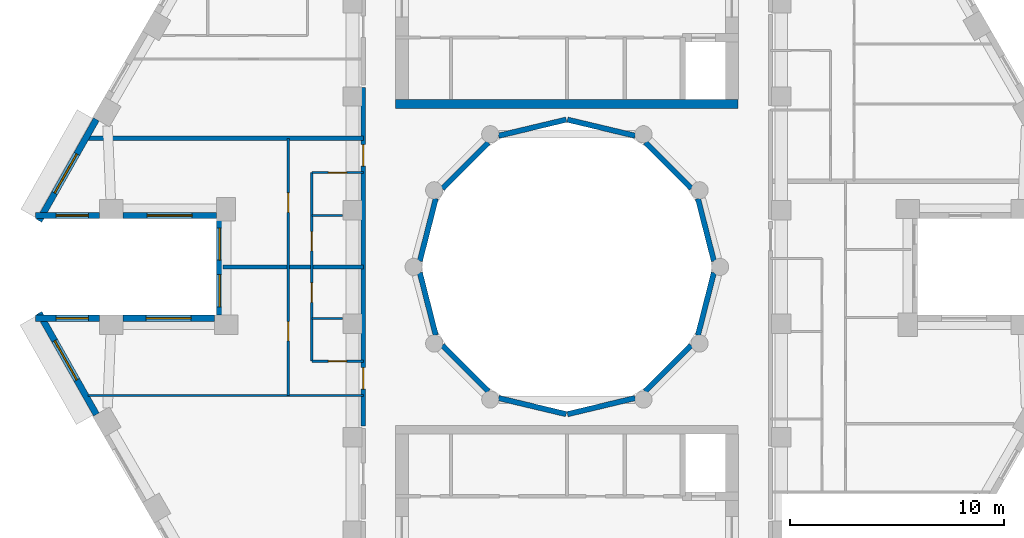
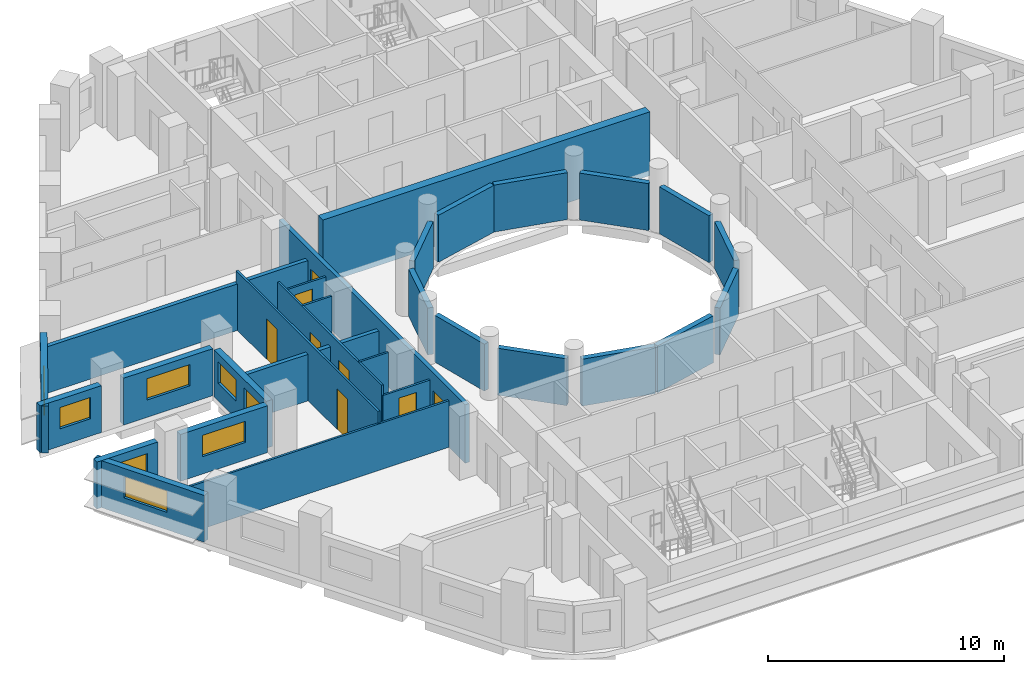
# One storey, part 4 of 12: 30 walls, 8 doors, 8 windows, 16 openings.
"""IFC4 building model written with IfcOpenShell, lengths in metres."""

from ifc_helpers import new_model, si_unit, direction, frame, frame_2d, origin, place, context, subcontext, project, spatial, rectangle, extrude, material, layer, layer_set, type_object, element, fill, save


model = new_model("IFC4")

# Units and contexts
model_context = context("Model", 3, precision=1e-05, world=origin(), true_north=direction((0.0, 1.0)))
body_context = subcontext(model_context, "Body", "Model", "MODEL_VIEW")
ifc_project = project(units=[si_unit("LENGTHUNIT", "METRE"), si_unit("AREAUNIT", "SQUARE_METRE"), si_unit("VOLUMEUNIT", "CUBIC_METRE"), si_unit("PLANEANGLEUNIT", "RADIAN"), si_unit("MASSUNIT", "GRAM", prefix="KILO")], contexts=[model_context])

# Site, building, storey
site_placement = place(None, origin())
site = spatial("IfcSite", under=ifc_project, at=site_placement, CompositionType="ELEMENT")
building_placement = place(site_placement, origin())
building = spatial("IfcBuilding", under=site, at=building_placement, Name="Nakaniwa Court", CompositionType="ELEMENT")
storey_placement = place(building_placement, frame((0.0, 0.0, 252.60009765625)))
storey = spatial("IfcBuildingStorey", under=building, at=storey_placement, Name="L66", CompositionType="ELEMENT", Elevation=252.60009765625)

# Wall, openings, doors
ifc_material_1 = material(Name="Acoustic double stud partition")
ifc_layer_1 = layer(ifc_material_1, 0.199951171875)
ifc_layer_set_1 = layer_set([ifc_layer_1], Name="Acoustic double stud partition")
wall_type_1 = type_object("IfcWallType", Name="Acoustic double stud partition 200", PredefinedType="PARTITIONING", material=ifc_layer_set_1)
wall_1_placement = place(storey_placement, frame((70.5, 72.576904296875, 0.0), z_axis=(0.0, 0.0, 1.0), x_axis=(0.0, 1.0, 0.0)))
wall_1 = element("IfcWall", 1, at=wall_1_placement, inside=storey, type_object=wall_type_1, Name="Partition PW-091", PredefinedType="PARTITIONING", context=body_context, shape_type="SweptSolid", body=[
    extrude(rectangle(XDim=15.7861328125, YDim=0.199951171875, at=frame_2d((7.89306640625, 0.0))), origin(), (0.0, 0.0, 1.0), 3.02490234375),
])
opening_1_placement = place(wall_1_placement, frame((1.722900390625, 0.0, 0.0)))
opening_1 = element("IfcOpeningElement", 2, at=opening_1_placement, cuts=wall_1, Name="Opening D-01-03", PredefinedType="OPENING", context=body_context, shape_type="SweptSolid", body=[
    extrude(rectangle(XDim=1.0, YDim=2.10009765625, at=frame_2d((0.5, 1.050048828125))), frame((0.0, 0.10986328125, 0.0), z_axis=(0.0, -1.0, 0.0), x_axis=(1.0, 0.0, 0.0)), (0.0, 0.0, 1.0), 0.219970703125),
])
opening_2_placement = place(wall_1_placement, frame((12.123046875, 0.0, 0.0)))
opening_2 = element("IfcOpeningElement", 3, at=opening_2_placement, cuts=wall_1, Name="Opening D-01-04", PredefinedType="OPENING", context=body_context, shape_type="SweptSolid", body=[
    extrude(rectangle(XDim=1.0, YDim=2.10009765625, at=frame_2d((0.5, 1.050048828125))), frame((0.0, 0.10986328125, 0.0), z_axis=(0.0, -1.0, 0.0), x_axis=(1.0, 0.0, 0.0)), (0.0, 0.0, 1.0), 0.219970703125),
])
ifc_material_2 = material(Name="Solid core timber door set, black veneer", Category="wood")
door_type_1 = type_object("IfcDoorType", Name="Flat entrance door 1000", OperationType="NOTDEFINED", PredefinedType="DOOR", material=ifc_material_2)
door_1_placement = place(opening_1_placement, origin())
door_1 = element("IfcDoor", 4, at=door_1_placement, inside=storey, type_object=door_type_1, Name="Door D-01-03 L66-047", OperationType="SINGLE_SWING_RIGHT", OverallHeight=2.10009765625, OverallWidth=1.0, PredefinedType="DOOR", context=body_context, shape_type="SweptSolid", body=[
    extrude(rectangle(XDim=1.0, YDim=2.10009765625, at=frame_2d((0.5, 1.050048828125))), frame((0.0, 0.02490234375, 0.0), z_axis=(0.0, -1.0, 0.0), x_axis=(1.0, 0.0, 0.0)), (0.0, 0.0, 1.0), 0.050048828125),
])
fill(opening_1, door_1)
door_2_placement = place(opening_2_placement, origin())
door_2 = element("IfcDoor", 5, at=door_2_placement, inside=storey, type_object=door_type_1, Name="Door D-01-04 L66-051", OperationType="SINGLE_SWING_RIGHT", OverallHeight=2.10009765625, OverallWidth=1.0, PredefinedType="DOOR", context=body_context, shape_type="SweptSolid", body=[
    extrude(rectangle(XDim=1.0, YDim=2.10009765625, at=frame_2d((0.5, 1.050048828125))), frame((0.0, 0.02490234375, 0.0), z_axis=(0.0, -1.0, 0.0), x_axis=(1.0, 0.0, 0.0)), (0.0, 0.0, 1.0), 0.050048828125),
])
fill(opening_2, door_2)

# Walls
wall_2_placement = place(storey_placement, frame((63.950439453125, 80.0, 0.0), z_axis=(0.0, 0.0, 1.0), x_axis=(1.0, 0.0, 0.0)))
element("IfcWall", 6, at=wall_2_placement, inside=storey, type_object=wall_type_1, Name="Partition PW-116", PredefinedType="PARTITIONING", context=body_context, shape_type="SweptSolid", body=[
    extrude(rectangle(XDim=6.549560546875, YDim=0.199951171875, at=frame_2d((3.27490234375, 0.0))), origin(), (0.0, 0.0, 1.0), 2.40478515625),
])
wall_3_placement = place(storey_placement, frame((57.656494140625, 86.0, 0.0), z_axis=(0.0, 0.0, 1.0), x_axis=(1.0, 0.0, 0.0)))
element("IfcWall", 7, at=wall_3_placement, inside=storey, type_object=wall_type_1, Name="Partition PW-120", PredefinedType="PARTITIONING", context=body_context, shape_type="SweptSolid", body=[
    extrude(rectangle(XDim=12.843505859375, YDim=0.199951171875, at=frame_2d((6.421875, 0.0))), origin(), (0.0, 0.0, 1.0), 2.40478515625),
])

# Wall, opening, window
ifc_material_3 = material(Name="Charcoal ceramic cladding")
ifc_layer_2 = layer(ifc_material_3, 0.02, Name="Ceramic cladding")
ifc_material_4 = material(Name="Ventilated air cavity")
ifc_layer_3 = layer(ifc_material_4, 0.04, ventilated=True, Name="Ventilated cavity")
ifc_material_5 = material(Name="Mineral wool insulation")
ifc_layer_4 = layer(ifc_material_5, 0.1, Name="Insulation")
ifc_material_6 = material(Name="Cement bonded sheathing board")
ifc_layer_5 = layer(ifc_material_6, 0.012, Name="Sheathing")
ifc_material_7 = material(Name="Cold-formed galvanised stud frame with mineral wool infill")
ifc_layer_6 = layer(ifc_material_7, 0.1, Name="Stud frame")
ifc_material_8 = material(Name="Fire-rated gypsum plasterboard lining")
ifc_layer_7 = layer(ifc_material_8, 0.028, Name="Lining")
ifc_layer_set_2 = layer_set([ifc_layer_2, ifc_layer_3, ifc_layer_4, ifc_layer_5, ifc_layer_6, ifc_layer_7], Name="Charcoal ceramic faced external wall system")
wall_type_2 = type_object("IfcWallType", Name="Black ceramic faced external wall 300", PredefinedType="SOLIDWALL", material=ifc_layer_set_2)
wall_4_placement = place(storey_placement, frame((58.048095703125, 86.886474609375, 0.0), z_axis=(0.0, 0.0, 1.0), x_axis=(-0.492080931903, -0.870549456641, 0.0)))
wall_4 = element("IfcWall", 8, at=wall_4_placement, inside=storey, type_object=wall_type_2, Name="L66 external wall 14", PredefinedType="SOLIDWALL", context=body_context, shape_type="SweptSolid", body=[
    extrude(rectangle(XDim=5.436767578125, YDim=0.300048828125, at=frame_2d((2.71826171875, 0.0))), origin(), (0.0, 0.0, 1.0), 2.4248046875),
])
opening_3_placement = place(wall_4_placement, frame((1.853759765625, 0.0, 0.89990234375)))
opening_3 = element("IfcOpeningElement", 9, at=opening_3_placement, cuts=wall_4, Name="Opening W7.15", PredefinedType="OPENING", context=body_context, shape_type="SweptSolid", body=[
    extrude(rectangle(XDim=2.10009765625, YDim=1.10009765625, at=frame_2d((1.050048828125, 0.550048828125))), frame((0.0, 0.159912109375, 0.0), z_axis=(0.0, -1.0, 0.0), x_axis=(1.0, 0.0, 0.0)), (0.0, 0.0, 1.0), 0.320068359375),
])
ifc_material_9 = material(Name="Black anodised aluminium frame with dark low-E laminated double glazing", Category="aluminium")
window_type_1 = type_object("IfcWindowType", Name="Dark glass window 2100x1100 sill 900", PartitioningType="SINGLE_PANEL", PredefinedType="WINDOW", material=ifc_material_9)
window_1_placement = place(opening_3_placement, origin())
window_1 = element("IfcWindow", 10, at=window_1_placement, inside=storey, type_object=window_type_1, Name="L66 living window 14-1", OverallHeight=1.10009765625, OverallWidth=2.10009765625, PartitioningType="SINGLE_PANEL", PredefinedType="WINDOW", context=body_context, shape_type="SweptSolid", body=[
    extrude(rectangle(XDim=2.10009765625, YDim=1.10009765625, at=frame_2d((1.050048828125, 0.550048828125))), frame((0.0, 0.030029296875, 0.0), z_axis=(0.0, -1.0, 0.0), x_axis=(1.0, 0.0, 0.0)), (0.0, 0.0, 1.0), 0.06005859375),
])
fill(opening_3, window_1)

wall_5_placement = place(storey_placement, frame((55.2021484375, 82.39990234375, 0.0), z_axis=(0.0, 0.0, 1.0), x_axis=(1.0, 0.0, 0.0)))
wall_5 = element("IfcWall", 11, at=wall_5_placement, inside=storey, type_object=wall_type_2, Name="L66 external wall 15", PredefinedType="SOLIDWALL", context=body_context, shape_type="SweptSolid", body=[
    extrude(rectangle(XDim=2.98779296875, YDim=0.300048828125, at=frame_2d((1.493896484375, 0.0))), origin(), (0.0, 0.0, 1.0), 2.4248046875),
])
opening_4_placement = place(wall_5_placement, frame((0.968994140625, 0.0, 0.89990234375)))
opening_4 = element("IfcOpeningElement", 12, at=opening_4_placement, cuts=wall_5, Name="Opening W5.16", PredefinedType="OPENING", context=body_context, shape_type="SweptSolid", body=[
    extrude(rectangle(XDim=1.5, YDim=1.10009765625, at=frame_2d((0.75, 0.550048828125))), frame((0.0, 0.159912109375, 0.0), z_axis=(0.0, -1.0, 0.0), x_axis=(1.0, 0.0, 0.0)), (0.0, 0.0, 1.0), 0.320068359375),
])
window_type_2 = type_object("IfcWindowType", Name="Dark glass window 1500x1100 sill 900", PartitioningType="SINGLE_PANEL", PredefinedType="WINDOW", material=ifc_material_9)
window_2_placement = place(opening_4_placement, origin())
window_2 = element("IfcWindow", 13, at=window_2_placement, inside=storey, type_object=window_type_2, Name="L66 living window 15-0", OverallHeight=1.10009765625, OverallWidth=1.5, PartitioningType="SINGLE_PANEL", PredefinedType="WINDOW", context=body_context, shape_type="SweptSolid", body=[
    extrude(rectangle(XDim=1.5, YDim=1.10009765625, at=frame_2d((0.75, 0.550048828125))), frame((0.0, 0.030029296875, 0.0), z_axis=(0.0, -1.0, 0.0), x_axis=(1.0, 0.0, 0.0)), (0.0, 0.0, 1.0), 0.06005859375),
])
fill(opening_4, window_2)

wall_6_placement = place(storey_placement, frame((59.281982421875, 82.39990234375, 0.0), z_axis=(0.0, 0.0, 1.0), x_axis=(1.0, 0.0, 0.0)))
wall_6 = element("IfcWall", 14, at=wall_6_placement, inside=storey, type_object=wall_type_2, Name="L66 external wall 16", PredefinedType="SOLIDWALL", context=body_context, shape_type="SweptSolid", body=[
    extrude(rectangle(XDim=4.37255859375, YDim=0.300048828125, at=frame_2d((2.186279296875, 0.0))), origin(), (0.0, 0.0, 1.0), 2.4248046875),
])
opening_5_placement = place(wall_6_placement, frame((1.13623046875, 0.0, 0.89990234375)))
opening_5 = element("IfcOpeningElement", 15, at=opening_5_placement, cuts=wall_6, Name="Opening W7.17", PredefinedType="OPENING", context=body_context, shape_type="SweptSolid", body=[
    extrude(rectangle(XDim=2.10009765625, YDim=1.10009765625, at=frame_2d((1.050048828125, 0.550048828125))), frame((0.0, 0.159912109375, 0.0), z_axis=(0.0, -1.0, 0.0), x_axis=(1.0, 0.0, 0.0)), (0.0, 0.0, 1.0), 0.320068359375),
])
window_3_placement = place(opening_5_placement, origin())
window_3 = element("IfcWindow", 16, at=window_3_placement, inside=storey, type_object=window_type_1, Name="L66 living window 16-0", OverallHeight=1.10009765625, OverallWidth=2.10009765625, PartitioningType="SINGLE_PANEL", PredefinedType="WINDOW", context=body_context, shape_type="SweptSolid", body=[
    extrude(rectangle(XDim=2.10009765625, YDim=1.10009765625, at=frame_2d((1.050048828125, 0.550048828125))), frame((0.0, 0.030029296875, 0.0), z_axis=(0.0, -1.0, 0.0), x_axis=(1.0, 0.0, 0.0)), (0.0, 0.0, 1.0), 0.06005859375),
])
fill(opening_5, window_3)

# Wall, openings, windows
wall_7_placement = place(storey_placement, frame((63.800537109375, 82.154052734375, 0.0), z_axis=(0.0, 0.0, 1.0), x_axis=(0.0, -1.0, 0.0)))
wall_7 = element("IfcWall", 17, at=wall_7_placement, inside=storey, type_object=wall_type_2, Name="L66 external wall 17", PredefinedType="SOLIDWALL", context=body_context, shape_type="SweptSolid", body=[
    extrude(rectangle(XDim=4.407958984375, YDim=0.300048828125, at=frame_2d((2.2041015625, 0.0))), origin(), (0.0, 0.0, 1.0), 2.4248046875),
])
opening_6_placement = place(wall_7_placement, frame((0.339111328125, 0.0, 0.89990234375)))
opening_6 = element("IfcOpeningElement", 18, at=opening_6_placement, cuts=wall_7, Name="Opening W5.18", PredefinedType="OPENING", context=body_context, shape_type="SweptSolid", body=[
    extrude(rectangle(XDim=1.5, YDim=1.10009765625, at=frame_2d((0.75, 0.550048828125))), frame((0.0, 0.159912109375, 0.0), z_axis=(0.0, -1.0, 0.0), x_axis=(1.0, 0.0, 0.0)), (0.0, 0.0, 1.0), 0.320068359375),
])
opening_7_placement = place(wall_7_placement, frame((2.51904296875, 0.0, 0.89990234375)))
opening_7 = element("IfcOpeningElement", 19, at=opening_7_placement, cuts=wall_7, Name="Opening W5.19", PredefinedType="OPENING", context=body_context, shape_type="SweptSolid", body=[
    extrude(rectangle(XDim=1.5, YDim=1.10009765625, at=frame_2d((0.75, 0.550048828125))), frame((0.0, 0.159912109375, 0.0), z_axis=(0.0, -1.0, 0.0), x_axis=(1.0, 0.0, 0.0)), (0.0, 0.0, 1.0), 0.320068359375),
])
window_4_placement = place(opening_6_placement, origin())
window_4 = element("IfcWindow", 20, at=window_4_placement, inside=storey, type_object=window_type_2, Name="L66 living window 17-0", OverallHeight=1.10009765625, OverallWidth=1.5, PartitioningType="SINGLE_PANEL", PredefinedType="WINDOW", context=body_context, shape_type="SweptSolid", body=[
    extrude(rectangle(XDim=1.5, YDim=1.10009765625, at=frame_2d((0.75, 0.550048828125))), frame((0.0, 0.030029296875, 0.0), z_axis=(0.0, -1.0, 0.0), x_axis=(1.0, 0.0, 0.0)), (0.0, 0.0, 1.0), 0.06005859375),
])
fill(opening_6, window_4)
window_5_placement = place(opening_7_placement, origin())
window_5 = element("IfcWindow", 21, at=window_5_placement, inside=storey, type_object=window_type_2, Name="L66 living window 17-1", OverallHeight=1.10009765625, OverallWidth=1.5, PartitioningType="SINGLE_PANEL", PredefinedType="WINDOW", context=body_context, shape_type="SweptSolid", body=[
    extrude(rectangle(XDim=1.5, YDim=1.10009765625, at=frame_2d((0.75, 0.550048828125))), frame((0.0, 0.030029296875, 0.0), z_axis=(0.0, -1.0, 0.0), x_axis=(1.0, 0.0, 0.0)), (0.0, 0.0, 1.0), 0.06005859375),
])
fill(opening_7, window_5)

# Wall, opening, window
wall_8_placement = place(storey_placement, frame((63.554443359375, 77.60009765625, 0.0), z_axis=(0.0, 0.0, 1.0), x_axis=(-1.0, 0.0, 0.0)))
wall_8 = element("IfcWall", 22, at=wall_8_placement, inside=storey, type_object=wall_type_2, Name="L66 external wall 18", PredefinedType="SOLIDWALL", context=body_context, shape_type="SweptSolid", body=[
    extrude(rectangle(XDim=4.2724609375, YDim=0.300048828125, at=frame_2d((2.13623046875, 0.0))), origin(), (0.0, 0.0, 1.0), 2.4248046875),
])
opening_8_placement = place(wall_8_placement, frame((1.086181640625, 0.0, 0.89990234375)))
opening_8 = element("IfcOpeningElement", 23, at=opening_8_placement, cuts=wall_8, Name="Opening W7.20", PredefinedType="OPENING", context=body_context, shape_type="SweptSolid", body=[
    extrude(rectangle(XDim=2.10009765625, YDim=1.10009765625, at=frame_2d((1.050048828125, 0.550048828125))), frame((0.0, 0.159912109375, 0.0), z_axis=(0.0, -1.0, 0.0), x_axis=(1.0, 0.0, 0.0)), (0.0, 0.0, 1.0), 0.320068359375),
])
window_6_placement = place(opening_8_placement, origin())
window_6 = element("IfcWindow", 24, at=window_6_placement, inside=storey, type_object=window_type_1, Name="L66 living window 18-0", OverallHeight=1.10009765625, OverallWidth=2.10009765625, PartitioningType="SINGLE_PANEL", PredefinedType="WINDOW", context=body_context, shape_type="SweptSolid", body=[
    extrude(rectangle(XDim=2.10009765625, YDim=1.10009765625, at=frame_2d((1.050048828125, 0.550048828125))), frame((0.0, 0.030029296875, 0.0), z_axis=(0.0, -1.0, 0.0), x_axis=(1.0, 0.0, 0.0)), (0.0, 0.0, 1.0), 0.06005859375),
])
fill(opening_8, window_6)

wall_9_placement = place(storey_placement, frame((58.18994140625, 77.60009765625, 0.0), z_axis=(0.0, 0.0, 1.0), x_axis=(-1.0, 0.0, 0.0)))
wall_9 = element("IfcWall", 25, at=wall_9_placement, inside=storey, type_object=wall_type_2, Name="L66 external wall 19", PredefinedType="SOLIDWALL", context=body_context, shape_type="SweptSolid", body=[
    extrude(rectangle(XDim=2.98779296875, YDim=0.300048828125, at=frame_2d((1.493896484375, 0.0))), origin(), (0.0, 0.0, 1.0), 2.4248046875),
])
opening_9_placement = place(wall_9_placement, frame((0.51904296875, 0.0, 0.89990234375)))
opening_9 = element("IfcOpeningElement", 26, at=opening_9_placement, cuts=wall_9, Name="Opening W5.21", PredefinedType="OPENING", context=body_context, shape_type="SweptSolid", body=[
    extrude(rectangle(XDim=1.5, YDim=1.10009765625, at=frame_2d((0.75, 0.550048828125))), frame((0.0, 0.159912109375, 0.0), z_axis=(0.0, -1.0, 0.0), x_axis=(1.0, 0.0, 0.0)), (0.0, 0.0, 1.0), 0.320068359375),
])
window_7_placement = place(opening_9_placement, origin())
window_7 = element("IfcWindow", 27, at=window_7_placement, inside=storey, type_object=window_type_2, Name="L66 living window 19-0", OverallHeight=1.10009765625, OverallWidth=1.5, PartitioningType="SINGLE_PANEL", PredefinedType="WINDOW", context=body_context, shape_type="SweptSolid", body=[
    extrude(rectangle(XDim=1.5, YDim=1.10009765625, at=frame_2d((0.75, 0.550048828125))), frame((0.0, 0.030029296875, 0.0), z_axis=(0.0, -1.0, 0.0), x_axis=(1.0, 0.0, 0.0)), (0.0, 0.0, 1.0), 0.06005859375),
])
fill(opening_9, window_7)

wall_10_placement = place(storey_placement, frame((55.372802734375, 77.846435546875, 0.0), z_axis=(0.0, 0.0, 1.0), x_axis=(0.492080931903, -0.870549456641, 0.0)))
wall_10 = element("IfcWall", 28, at=wall_10_placement, inside=storey, type_object=wall_type_2, Name="L66 external wall 20", PredefinedType="SOLIDWALL", context=body_context, shape_type="SweptSolid", body=[
    extrude(rectangle(XDim=5.436767578125, YDim=0.300048828125, at=frame_2d((2.71826171875, 0.0))), origin(), (0.0, 0.0, 1.0), 2.4248046875),
])
opening_10_placement = place(wall_10_placement, frame((1.483154296875, 0.0, 0.89990234375)))
opening_10 = element("IfcOpeningElement", 29, at=opening_10_placement, cuts=wall_10, Name="Opening W7.22", PredefinedType="OPENING", context=body_context, shape_type="SweptSolid", body=[
    extrude(rectangle(XDim=2.10009765625, YDim=1.10009765625, at=frame_2d((1.050048828125, 0.550048828125))), frame((0.0, 0.159912109375, 0.0), z_axis=(0.0, -1.0, 0.0), x_axis=(1.0, 0.0, 0.0)), (0.0, 0.0, 1.0), 0.320068359375),
])
window_8_placement = place(opening_10_placement, origin())
window_8 = element("IfcWindow", 30, at=window_8_placement, inside=storey, type_object=window_type_1, Name="L66 living window 20-0", OverallHeight=1.10009765625, OverallWidth=2.10009765625, PartitioningType="SINGLE_PANEL", PredefinedType="WINDOW", context=body_context, shape_type="SweptSolid", body=[
    extrude(rectangle(XDim=2.10009765625, YDim=1.10009765625, at=frame_2d((1.050048828125, 0.550048828125))), frame((0.0, 0.030029296875, 0.0), z_axis=(0.0, -1.0, 0.0), x_axis=(1.0, 0.0, 0.0)), (0.0, 0.0, 1.0), 0.06005859375),
])
fill(opening_10, window_8)

# Walls
ifc_layer_8 = layer(ifc_material_3, 0.02, Name="Ceramic cladding")
ifc_layer_9 = layer(ifc_material_4, 0.04, ventilated=True, Name="Ventilated cavity")
ifc_layer_10 = layer(ifc_material_5, 0.075, Name="Insulation")
ifc_layer_11 = layer(ifc_material_6, 0.012, Name="Sheathing")
ifc_layer_12 = layer(ifc_material_7, 0.075, Name="Stud frame")
ifc_layer_13 = layer(ifc_material_8, 0.028, Name="Lining")
ifc_layer_set_3 = layer_set([ifc_layer_8, ifc_layer_9, ifc_layer_10, ifc_layer_11, ifc_layer_12, ifc_layer_13], Name="Charcoal ceramic faced external wall system")
wall_type_3 = type_object("IfcWallType", Name="Charcoal ceramic faced well wall 250", PredefinedType="SOLIDWALL", material=ifc_layer_set_3)
wall_11_placement = place(storey_placement, frame((86.8603515625, 79.72998046875, 0.0), z_axis=(0.0, 0.0, 1.0), x_axis=(-0.247055971283, -0.969001211069, 0.0)))
element("IfcWall", 31, at=wall_11_placement, inside=storey, type_object=wall_type_3, Name="L66 external wall 36", PredefinedType="SOLIDWALL", context=body_context, shape_type="SweptSolid", body=[
    extrude(rectangle(XDim=3.010009765625, YDim=0.25, at=frame_2d((1.5048828125, 0.0))), origin(), (0.0, 0.0, 1.0), 2.4248046875),
])
wall_12_placement = place(storey_placement, frame((85.8056640625, 76.339111328125, 0.0), z_axis=(0.0, 0.0, 1.0), x_axis=(-0.707106781187, -0.707106781187, 0.0)))
element("IfcWall", 32, at=wall_12_placement, inside=storey, type_object=wall_type_3, Name="L66 external wall 37", PredefinedType="SOLIDWALL", context=body_context, shape_type="SweptSolid", body=[
    extrude(rectangle(XDim=3.033203125, YDim=0.25, at=frame_2d((1.5166015625, 0.0))), origin(), (0.0, 0.0, 1.0), 2.4248046875),
])
for number, where, z_axis, x_axis, name in (
    (33, (83.186279296875, 73.880615234375, 0.0), (0.0, 0.0, 1.0), (-0.972773113459, -0.231759508395, 0.0), "L66 external wall 38"),
    (34, (79.970947265625, 73.12841796875, 0.0), (0.0, 0.0, 1.0), (-0.972773113459, 0.231759508395, 0.0), "L66 external wall 39"),
):
    element("IfcWall", number, at=place(storey_placement, frame(where, z_axis=z_axis, x_axis=x_axis)), inside=storey, type_object=wall_type_3, Name=name, PredefinedType="SOLIDWALL", context=body_context, shape_type="SweptSolid", body=[
        extrude(rectangle(XDim=3.24560546875, YDim=0.25, at=frame_2d((1.622802734375, 0.0))), origin(), (0.0, 0.0, 1.0), 2.4248046875),
    ])
wall_13_placement = place(storey_placement, frame((76.339111328125, 74.1943359375, 0.0), z_axis=(0.0, 0.0, 1.0), x_axis=(-0.707106781187, 0.707106781187, 0.0)))
element("IfcWall", 35, at=wall_13_placement, inside=storey, type_object=wall_type_3, Name="L66 external wall 40", PredefinedType="SOLIDWALL", context=body_context, shape_type="SweptSolid", body=[
    extrude(rectangle(XDim=3.033203125, YDim=0.25, at=frame_2d((1.5166015625, 0.0))), origin(), (0.0, 0.0, 1.0), 2.4248046875),
])
for number, where, z_axis, x_axis, name in (
    (36, (73.88330078125, 76.813232421875, 0.0), (0.0, 0.0, 1.0), (-0.247055971283, 0.969001211069, 0.0), "L66 external wall 41"),
    (37, (73.1396484375, 80.27001953125, 0.0), (0.0, 0.0, 1.0), (0.247055971283, 0.969001211069, 0.0), "L66 external wall 42"),
):
    element("IfcWall", number, at=place(storey_placement, frame(where, z_axis=z_axis, x_axis=x_axis)), inside=storey, type_object=wall_type_3, Name=name, PredefinedType="SOLIDWALL", context=body_context, shape_type="SweptSolid", body=[
        extrude(rectangle(XDim=3.010009765625, YDim=0.25, at=frame_2d((1.5048828125, 0.0))), origin(), (0.0, 0.0, 1.0), 2.4248046875),
    ])
wall_14_placement = place(storey_placement, frame((74.1943359375, 83.660888671875, 0.0), z_axis=(0.0, 0.0, 1.0), x_axis=(0.707106781187, 0.707106781187, 0.0)))
element("IfcWall", 38, at=wall_14_placement, inside=storey, type_object=wall_type_3, Name="L66 external wall 43", PredefinedType="SOLIDWALL", context=body_context, shape_type="SweptSolid", body=[
    extrude(rectangle(XDim=3.033203125, YDim=0.25, at=frame_2d((1.5166015625, 0.0))), origin(), (0.0, 0.0, 1.0), 2.4248046875),
])
for number, where, z_axis, x_axis, name in (
    (39, (76.813720703125, 86.119384765625, 0.0), (0.0, 0.0, 1.0), (0.972773113459, 0.231759508395, 0.0), "L66 external wall 44"),
    (40, (80.029052734375, 86.87158203125, 0.0), (0.0, 0.0, 1.0), (0.972773113459, -0.231759508395, 0.0), "L66 external wall 45"),
):
    element("IfcWall", number, at=place(storey_placement, frame(where, z_axis=z_axis, x_axis=x_axis)), inside=storey, type_object=wall_type_3, Name=name, PredefinedType="SOLIDWALL", context=body_context, shape_type="SweptSolid", body=[
        extrude(rectangle(XDim=3.24560546875, YDim=0.25, at=frame_2d((1.622802734375, 0.0))), origin(), (0.0, 0.0, 1.0), 2.4248046875),
    ])
wall_15_placement = place(storey_placement, frame((83.660888671875, 85.8056640625, 0.0), z_axis=(0.0, 0.0, 1.0), x_axis=(0.707106781187, -0.707106781187, 0.0)))
element("IfcWall", 41, at=wall_15_placement, inside=storey, type_object=wall_type_3, Name="L66 external wall 46", PredefinedType="SOLIDWALL", context=body_context, shape_type="SweptSolid", body=[
    extrude(rectangle(XDim=3.033203125, YDim=0.25, at=frame_2d((1.5166015625, 0.0))), origin(), (0.0, 0.0, 1.0), 2.4248046875),
])
wall_16_placement = place(storey_placement, frame((86.11669921875, 83.186767578125, 0.0), z_axis=(0.0, 0.0, 1.0), x_axis=(0.247055971283, -0.969001211069, 0.0)))
element("IfcWall", 42, at=wall_16_placement, inside=storey, type_object=wall_type_3, Name="L66 external wall 47", PredefinedType="SOLIDWALL", context=body_context, shape_type="SweptSolid", body=[
    extrude(rectangle(XDim=3.010009765625, YDim=0.25, at=frame_2d((1.5048828125, 0.0))), origin(), (0.0, 0.0, 1.0), 2.4248046875),
])
ifc_material_10 = material(Name="Concrete C80/100", Category="concrete")
ifc_layer_14 = layer(ifc_material_10, 0.39990234375)
ifc_layer_set_4 = layer_set([ifc_layer_14], Name="Concrete C80/100")
wall_type_4 = type_object("IfcWallType", Name="Concrete core well wall 400 C80", PredefinedType="SHEAR", material=ifc_layer_set_4)
wall_17_placement = place(storey_placement, frame((72.00390625, 87.60009765625, -0.275146484375), z_axis=(0.0, 0.0, 1.0), x_axis=(1.0, 0.0, 0.0)))
element("IfcWall", 43, at=wall_17_placement, inside=storey, type_object=wall_type_4, Name="Core wall SW-125", PredefinedType="SHEAR", context=body_context, shape_type="SweptSolid", body=[
    extrude(rectangle(XDim=15.9921875, YDim=0.39990234375, at=frame_2d((7.99609375, 0.0))), origin(), (0.0, 0.0, 1.0), 3.300048828125),
])
ifc_material_11 = material(Name="Single stud plasterboard partition")
ifc_layer_15 = layer(ifc_material_11, 0.10009765625)
ifc_layer_set_5 = layer_set([ifc_layer_15], Name="Single stud plasterboard partition")
wall_type_5 = type_object("IfcWallType", Name="Single stud plasterboard partition 100", PredefinedType="PARTITIONING", material=ifc_layer_set_5)
wall_18_placement = place(storey_placement, frame((57.656494140625, 74.0, 0.0), z_axis=(0.0, 0.0, 1.0), x_axis=(1.0, 0.0, 0.0)))
element("IfcWall", 44, at=wall_18_placement, inside=storey, type_object=wall_type_5, Name="Partition PW-112", PredefinedType="PARTITIONING", context=body_context, shape_type="SweptSolid", body=[
    extrude(rectangle(XDim=12.843505859375, YDim=0.10009765625, at=frame_2d((6.421875, 0.0))), origin(), (0.0, 0.0, 1.0), 2.40478515625),
])
wall_19_placement = place(storey_placement, frame((68.10009765625, 77.60009765625, 0.0), z_axis=(0.0, 0.0, 1.0), x_axis=(1.0, 0.0, 0.0)))
element("IfcWall", 45, at=wall_19_placement, inside=storey, type_object=wall_type_5, Name="Partition PW-113", PredefinedType="PARTITIONING", context=body_context, shape_type="SweptSolid", body=[
    extrude(rectangle(XDim=1.429931640625, YDim=0.10009765625, at=frame_2d((0.71484375, 0.0))), origin(), (0.0, 0.0, 1.0), 3.02490234375),
])

# Wall, opening, door
wall_20_placement = place(storey_placement, frame((68.10009765625, 75.60009765625, 0.0), z_axis=(0.0, 0.0, 1.0), x_axis=(1.0, 0.0, 0.0)))
wall_20 = element("IfcWall", 46, at=wall_20_placement, inside=storey, type_object=wall_type_5, Name="Partition PW-114", PredefinedType="PARTITIONING", context=body_context, shape_type="SweptSolid", body=[
    extrude(rectangle(XDim=2.39990234375, YDim=0.10009765625, at=frame_2d((1.199951171875, 0.0))), origin(), (0.0, 0.0, 1.0), 2.5048828125),
])
opening_11_placement = place(wall_20_placement, frame((0.77490234375, 0.0, 0.0)))
opening_11 = element("IfcOpeningElement", 47, at=opening_11_placement, cuts=wall_20, Name="Opening D-03-04", PredefinedType="OPENING", context=body_context, shape_type="SweptSolid", body=[
    extrude(rectangle(XDim=0.85009765625, YDim=2.10009765625, at=frame_2d((0.425048828125, 1.050048828125))), frame((0.0, 0.06005859375, 0.0), z_axis=(0.0, -1.0, 0.0), x_axis=(1.0, 0.0, 0.0)), (0.0, 0.0, 1.0), 0.1201171875),
])
ifc_material_12 = material(Name="Moisture sealed timber door set", Category="wood")
door_type_2 = type_object("IfcDoorType", Name="Bathroom door 850", OperationType="NOTDEFINED", PredefinedType="DOOR", material=ifc_material_12)
door_3_placement = place(opening_11_placement, origin())
door_3 = element("IfcDoor", 48, at=door_3_placement, inside=storey, type_object=door_type_2, Name="Door D-03-04 L66-048", OperationType="SINGLE_SWING_LEFT", OverallHeight=2.10009765625, OverallWidth=0.85009765625, PredefinedType="DOOR", context=body_context, shape_type="SweptSolid", body=[
    extrude(rectangle(XDim=0.85009765625, YDim=2.10009765625, at=frame_2d((0.425048828125, 1.050048828125))), frame((0.0, 0.02490234375, 0.0), z_axis=(0.0, -1.0, 0.0), x_axis=(1.0, 0.0, 0.0)), (0.0, 0.0, 1.0), 0.050048828125),
])
fill(opening_11, door_3)

# Wall, openings, doors
wall_21_placement = place(storey_placement, frame((68.10009765625, 84.39990234375, 0.0), z_axis=(0.0, 0.0, 1.0), x_axis=(0.0, -1.0, 0.0)))
wall_21 = element("IfcWall", 49, at=wall_21_placement, inside=storey, type_object=wall_type_5, Name="Partition PW-115", PredefinedType="PARTITIONING", context=body_context, shape_type="SweptSolid", body=[
    extrude(rectangle(XDim=8.7998046875, YDim=0.10009765625, at=frame_2d((4.39990234375, 0.0))), origin(), (0.0, 0.0, 1.0), 3.02490234375),
])
opening_12_placement = place(wall_21_placement, frame((5.14990234375, 0.0, 0.0)))
opening_12 = element("IfcOpeningElement", 50, at=opening_12_placement, cuts=wall_21, Name="Opening D-33-10", PredefinedType="OPENING", context=body_context, shape_type="SweptSolid", body=[
    extrude(rectangle(XDim=0.89990234375, YDim=2.10009765625, at=frame_2d((0.449951171875, 1.050048828125))), frame((0.0, 0.06005859375, 0.0), z_axis=(0.0, -1.0, 0.0), x_axis=(1.0, 0.0, 0.0)), (0.0, 0.0, 1.0), 0.1201171875),
])
opening_13_placement = place(wall_21_placement, frame((2.75, 0.0, 0.0)))
opening_13 = element("IfcOpeningElement", 51, at=opening_13_placement, cuts=wall_21, Name="Opening D-33-12", PredefinedType="OPENING", context=body_context, shape_type="SweptSolid", body=[
    extrude(rectangle(XDim=0.89990234375, YDim=2.10009765625, at=frame_2d((0.449951171875, 1.050048828125))), frame((0.0, 0.06005859375, 0.0), z_axis=(0.0, -1.0, 0.0), x_axis=(1.0, 0.0, 0.0)), (0.0, 0.0, 1.0), 0.1201171875),
])
door_type_3 = type_object("IfcDoorType", Name="Internal door 900", OperationType="NOTDEFINED", PredefinedType="DOOR", material=ifc_material_2)
door_4_placement = place(opening_12_placement, origin())
door_4 = element("IfcDoor", 52, at=door_4_placement, inside=storey, type_object=door_type_3, Name="Door D-33-10 L66-049", OperationType="SINGLE_SWING_RIGHT", OverallHeight=2.10009765625, OverallWidth=0.89990234375, PredefinedType="DOOR", context=body_context, shape_type="SweptSolid", body=[
    extrude(rectangle(XDim=0.89990234375, YDim=2.10009765625, at=frame_2d((0.449951171875, 1.050048828125))), frame((0.0, 0.02490234375, 0.0), z_axis=(0.0, -1.0, 0.0), x_axis=(1.0, 0.0, 0.0)), (0.0, 0.0, 1.0), 0.050048828125),
])
fill(opening_12, door_4)
door_5_placement = place(opening_13_placement, origin())
door_5 = element("IfcDoor", 53, at=door_5_placement, inside=storey, type_object=door_type_3, Name="Door D-33-12 L66-052", OperationType="SINGLE_SWING_LEFT", OverallHeight=2.10009765625, OverallWidth=0.89990234375, PredefinedType="DOOR", context=body_context, shape_type="SweptSolid", body=[
    extrude(rectangle(XDim=0.89990234375, YDim=2.10009765625, at=frame_2d((0.449951171875, 1.050048828125))), frame((0.0, 0.02490234375, 0.0), z_axis=(0.0, -1.0, 0.0), x_axis=(1.0, 0.0, 0.0)), (0.0, 0.0, 1.0), 0.050048828125),
])
fill(opening_13, door_5)

wall_22_placement = place(storey_placement, frame((67.0, 74.0, 0.0), z_axis=(0.0, 0.0, 1.0), x_axis=(0.0, 1.0, 0.0)))
wall_22 = element("IfcWall", 54, at=wall_22_placement, inside=storey, type_object=wall_type_5, Name="Partition PW-117", PredefinedType="PARTITIONING", context=body_context, shape_type="SweptSolid", body=[
    extrude(rectangle(XDim=12.0, YDim=0.10009765625, at=frame_2d((6.0, 0.0))), origin(), (0.0, 0.0, 1.0), 3.02490234375),
])
opening_14_placement = place(wall_22_placement, frame((2.550048828125, 0.0, 0.0)))
opening_14 = element("IfcOpeningElement", 55, at=opening_14_placement, cuts=wall_22, Name="Opening D-33-11", PredefinedType="OPENING", context=body_context, shape_type="SweptSolid", body=[
    extrude(rectangle(XDim=0.89990234375, YDim=2.10009765625, at=frame_2d((0.449951171875, 1.050048828125))), frame((0.0, 0.06005859375, 0.0), z_axis=(0.0, -1.0, 0.0), x_axis=(1.0, 0.0, 0.0)), (0.0, 0.0, 1.0), 0.1201171875),
])
opening_15_placement = place(wall_22_placement, frame((8.550048828125, 0.0, 0.0)))
opening_15 = element("IfcOpeningElement", 56, at=opening_15_placement, cuts=wall_22, Name="Opening D-33-13", PredefinedType="OPENING", context=body_context, shape_type="SweptSolid", body=[
    extrude(rectangle(XDim=0.89990234375, YDim=2.10009765625, at=frame_2d((0.449951171875, 1.050048828125))), frame((0.0, 0.06005859375, 0.0), z_axis=(0.0, -1.0, 0.0), x_axis=(1.0, 0.0, 0.0)), (0.0, 0.0, 1.0), 0.1201171875),
])
door_6_placement = place(opening_14_placement, origin())
door_6 = element("IfcDoor", 57, at=door_6_placement, inside=storey, type_object=door_type_3, Name="Door D-33-11 L66-050", OperationType="SINGLE_SWING_LEFT", OverallHeight=2.10009765625, OverallWidth=0.89990234375, PredefinedType="DOOR", context=body_context, shape_type="SweptSolid", body=[
    extrude(rectangle(XDim=0.89990234375, YDim=2.10009765625, at=frame_2d((0.449951171875, 1.050048828125))), frame((0.0, 0.02490234375, 0.0), z_axis=(0.0, -1.0, 0.0), x_axis=(1.0, 0.0, 0.0)), (0.0, 0.0, 1.0), 0.050048828125),
])
fill(opening_14, door_6)
door_7_placement = place(opening_15_placement, origin())
door_7 = element("IfcDoor", 58, at=door_7_placement, inside=storey, type_object=door_type_3, Name="Door D-33-13 L66-054", OperationType="SINGLE_SWING_LEFT", OverallHeight=2.10009765625, OverallWidth=0.89990234375, PredefinedType="DOOR", context=body_context, shape_type="SweptSolid", body=[
    extrude(rectangle(XDim=0.89990234375, YDim=2.10009765625, at=frame_2d((0.449951171875, 1.050048828125))), frame((0.0, 0.02490234375, 0.0), z_axis=(0.0, -1.0, 0.0), x_axis=(1.0, 0.0, 0.0)), (0.0, 0.0, 1.0), 0.050048828125),
])
fill(opening_15, door_7)

# Wall
wall_23_placement = place(storey_placement, frame((68.10009765625, 82.39990234375, 0.0), z_axis=(0.0, 0.0, 1.0), x_axis=(1.0, 0.0, 0.0)))
element("IfcWall", 59, at=wall_23_placement, inside=storey, type_object=wall_type_5, Name="Partition PW-118", PredefinedType="PARTITIONING", context=body_context, shape_type="SweptSolid", body=[
    extrude(rectangle(XDim=1.429931640625, YDim=0.10009765625, at=frame_2d((0.71484375, 0.0))), origin(), (0.0, 0.0, 1.0), 3.02490234375),
])

# Wall, opening, door
wall_24_placement = place(storey_placement, frame((70.5, 84.39990234375, 0.0), z_axis=(0.0, 0.0, 1.0), x_axis=(-1.0, 0.0, 0.0)))
wall_24 = element("IfcWall", 60, at=wall_24_placement, inside=storey, type_object=wall_type_5, Name="Partition PW-119", PredefinedType="PARTITIONING", context=body_context, shape_type="SweptSolid", body=[
    extrude(rectangle(XDim=2.39990234375, YDim=0.10009765625, at=frame_2d((1.199951171875, 0.0))), origin(), (0.0, 0.0, 1.0), 2.5048828125),
])
opening_16_placement = place(wall_24_placement, frame((0.77490234375, 0.0, 0.0)))
opening_16 = element("IfcOpeningElement", 61, at=opening_16_placement, cuts=wall_24, Name="Opening D-03-05", PredefinedType="OPENING", context=body_context, shape_type="SweptSolid", body=[
    extrude(rectangle(XDim=0.85009765625, YDim=2.10009765625, at=frame_2d((0.425048828125, 1.050048828125))), frame((0.0, 0.06005859375, 0.0), z_axis=(0.0, -1.0, 0.0), x_axis=(1.0, 0.0, 0.0)), (0.0, 0.0, 1.0), 0.1201171875),
])
door_8_placement = place(opening_16_placement, origin())
door_8 = element("IfcDoor", 62, at=door_8_placement, inside=storey, type_object=door_type_2, Name="Door D-03-05 L66-053", OperationType="SINGLE_SWING_RIGHT", OverallHeight=2.10009765625, OverallWidth=0.85009765625, PredefinedType="DOOR", context=body_context, shape_type="SweptSolid", body=[
    extrude(rectangle(XDim=0.85009765625, YDim=2.10009765625, at=frame_2d((0.425048828125, 1.050048828125))), frame((0.0, 0.02490234375, 0.0), z_axis=(0.0, -1.0, 0.0), x_axis=(1.0, 0.0, 0.0)), (0.0, 0.0, 1.0), 0.050048828125),
])
fill(opening_16, door_8)

save(model, "model.ifc")
